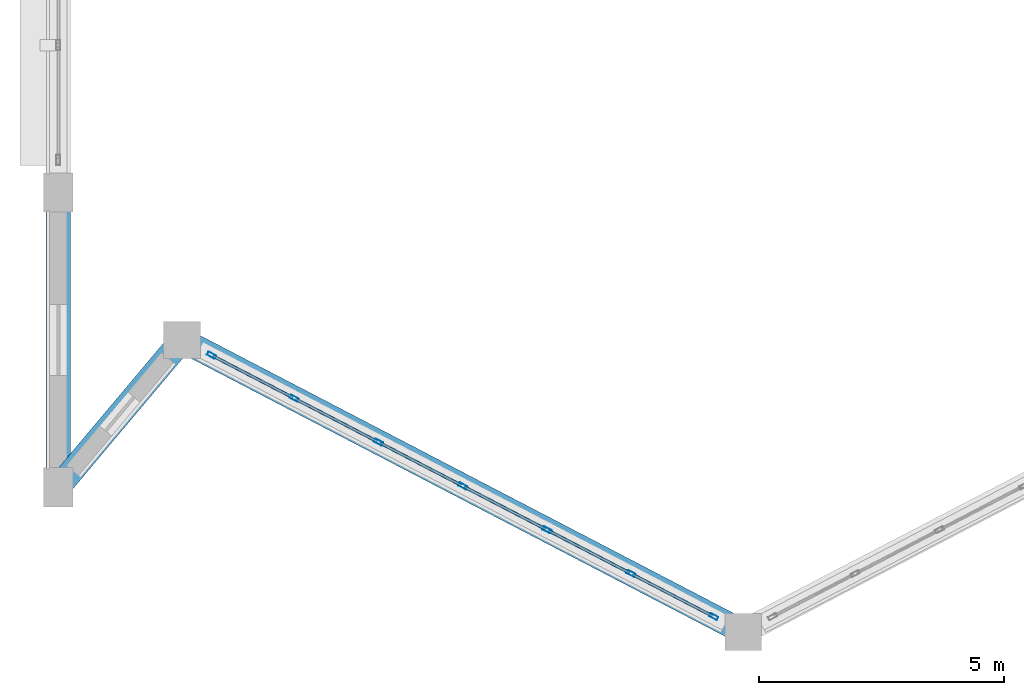
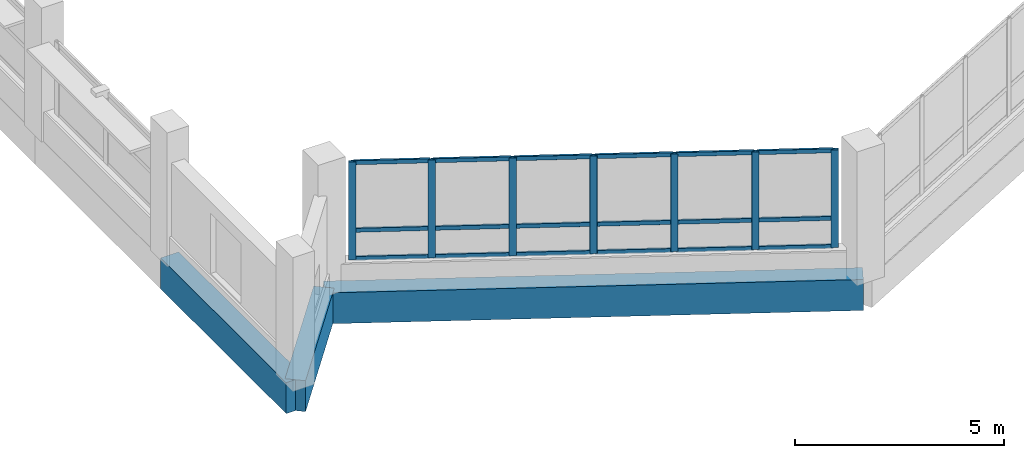
# One storey, part 3 of 121: 25 members, 3 beams, 1 element without a shape of its own.
"""IFC4 building model written with IfcOpenShell, lengths in metres."""

import ifcopenshell
import ifcopenshell.guid

model = None  # the IFC model being written
_history = None  # IfcOwnerHistory: only IFC2X3 demands one
_inside = {}  # id of a spatial element -> (the spatial element, [elements in it])
_under = {}  # id of a project, library or spatial element -> (it, [spatial elements below it])
_declared = {}  # id of a project -> (the project, [libraries it declares])
_typed = {}  # id of a type object -> (the type object, [elements of that type])
_made_of = {}  # id of a material, layer set ... -> (it, [elements and type objects made of it])


def new_model(schema):
    """Start an empty IFC model of exactly this schema.

    Asked for "IFC4X3", IfcOpenShell would pick the latest addendum, in which some entities
    have other attributes; the version numbers below select the first issue.
    IFC2X3 requires an IfcOwnerHistory on every rooted entity: one is made here for all.
    """
    global model, _history
    if schema == "IFC4X3":
        model = ifcopenshell.file(schema_version=(4, 3, 0, 0))
    else:
        model = ifcopenshell.file(schema=schema)
    _inside.clear()
    _under.clear()
    _declared.clear()
    _typed.clear()
    _made_of.clear()
    _history = None
    if model.schema == "IFC2X3":
        org = make("IfcOrganization", Name="unknown")
        user = make(
            "IfcPersonAndOrganization",
            ThePerson=make("IfcPerson", FamilyName="unknown"),
            TheOrganization=org,
        )
        app = make(
            "IfcApplication",
            ApplicationDeveloper=org,
            Version="unknown",
            ApplicationFullName="unknown",
            ApplicationIdentifier="unknown",
        )
        _history = make(
            "IfcOwnerHistory",
            OwningUser=user,
            OwningApplication=app,
            ChangeAction="ADDED",
            CreationDate=0,
        )
    return model


def make(cls, **values):
    """One entity of the class cls with the attributes given. An attribute that is None is left unset."""
    return model.create_entity(
        cls, **{name: value for name, value in values.items() if value is not None}
    )


def rooted(cls, **values):
    """An entity with a GlobalId (a new one), such as an element, a storey or a relation."""
    return make(cls, GlobalId=ifcopenshell.guid.new(), OwnerHistory=_history, **values)


def si_unit(unit_type, name, prefix=None):
    """IfcSIUnit, for example si_unit("LENGTHUNIT", "METRE", prefix="MILLI")."""
    return make("IfcSIUnit", UnitType=unit_type, Prefix=prefix, Name=name)


def assignment(units):
    """IfcUnitAssignment: the units of a project."""
    return None if units is None else make("IfcUnitAssignment", Units=units)


def point(xyz):
    """IfcCartesianPoint."""
    return None if xyz is None else make("IfcCartesianPoint", Coordinates=xyz)


def direction(xyz):
    """IfcDirection."""
    return None if xyz is None else make("IfcDirection", DirectionRatios=xyz)


def frame(location, z_axis=None, x_axis=None):
    """IfcAxis2Placement3D, a coordinate frame: its origin and axes. An axis left out is left unset."""
    return make(
        "IfcAxis2Placement3D",
        Location=point(location),
        Axis=direction(z_axis),
        RefDirection=direction(x_axis),
    )


def frame_2d(location, x_axis=None):
    """IfcAxis2Placement2D, a coordinate frame in the plane: its origin and x axis."""
    return make(
        "IfcAxis2Placement2D", Location=point(location), RefDirection=direction(x_axis)
    )


def origin():
    """The frame at (0, 0, 0) with its axes left unset."""
    return frame((0.0, 0.0, 0.0))


def origin_2d():
    """The frame at (0, 0) in the plane with its x axis left unset."""
    return frame_2d((0.0, 0.0))


def place(relative_to, where):
    """IfcLocalPlacement: puts the frame where relative to a parent placement (None: the world)."""
    return make(
        "IfcLocalPlacement", PlacementRelTo=relative_to, RelativePlacement=where
    )


def context(
    kind, dimensions, precision=None, world=None, true_north=None, identifier=None
):
    """IfcGeometricRepresentationContext, for example the 3D "Model" context."""
    return make(
        "IfcGeometricRepresentationContext",
        ContextIdentifier=identifier,
        ContextType=kind,
        CoordinateSpaceDimension=dimensions,
        Precision=precision,
        WorldCoordinateSystem=world,
        TrueNorth=true_north,
    )


def subcontext(parent, identifier, kind, view, scale=None):
    """IfcGeometricRepresentationSubContext, for example "Body" below "Model"."""
    return make(
        "IfcGeometricRepresentationSubContext",
        ContextIdentifier=identifier,
        ContextType=kind,
        ParentContext=parent,
        TargetScale=scale,
        TargetView=view,
    )


def project(units=None, contexts=None):
    """IfcProject with its units and contexts."""
    return rooted(
        "IfcProject",
        Name="project",
        RepresentationContexts=contexts,
        UnitsInContext=assignment(units),
    )


def spatial(cls, under=None, at=None, **own):
    """A site, building, storey or space (cls), placed at a placement, below another one or the project."""
    s = rooted(cls, ObjectPlacement=at, **own)
    if under is not None:
        _under.setdefault(under.id(), (under, []))[1].append(s)
    return s


def profile(cls, at=None, kind="AREA", **sizes):
    """A parametric profile (cls). Its sizes go by their IFC names, for example OverallWidth=200.0."""
    return make(cls, ProfileType=kind, Position=at, **sizes)


def rectangle(**sizes):
    """IfcRectangleProfileDef."""
    return profile("IfcRectangleProfileDef", **sizes)


def hollow_rectangle(**sizes):
    """IfcRectangleHollowProfileDef."""
    return profile("IfcRectangleHollowProfileDef", **sizes)


def extrude(swept, where, along, depth):
    """IfcExtrudedAreaSolid: the profile swept, set in the frame where, extruded along a direction by depth."""
    return make(
        "IfcExtrudedAreaSolid",
        SweptArea=swept,
        Position=where,
        ExtrudedDirection=direction(along),
        Depth=depth,
    )


def shape(context_of_items, identifier, shape_type, items):
    """IfcShapeRepresentation: the items that make up one representation, for example the "Body"."""
    return make(
        "IfcShapeRepresentation",
        ContextOfItems=context_of_items,
        RepresentationIdentifier=identifier,
        RepresentationType=shape_type,
        Items=items,
    )


def material(Name=None, Category=None):
    """IfcMaterial."""
    return make("IfcMaterial", Name=Name, Category=Category)


def layer(
    of_material, thickness, ventilated=None, Name=None, Category=None, Priority=None
):
    """IfcMaterialLayer: one layer of a wall or slab, of a material (None: an air gap)."""
    return make(
        "IfcMaterialLayer",
        Material=of_material,
        LayerThickness=thickness,
        IsVentilated=ventilated,
        Name=Name,
        Category=Category,
        Priority=Priority,
    )


def layer_set(layers, Name=None):
    """IfcMaterialLayerSet."""
    return make("IfcMaterialLayerSet", MaterialLayers=layers, LayerSetName=Name)


def material_profile(
    of_material, cross_section, Name=None, Category=None, Priority=None
):
    """IfcMaterialProfile: a cross section and its material."""
    return make(
        "IfcMaterialProfile",
        Name=Name,
        Material=of_material,
        Profile=cross_section,
        Priority=Priority,
        Category=Category,
    )


def profile_set(profiles, Name=None, composite=None):
    """IfcMaterialProfileSet."""
    return make(
        "IfcMaterialProfileSet",
        Name=Name,
        MaterialProfiles=profiles,
        CompositeProfile=composite,
    )


def made_of(thing, what):
    """Note that an element or type object is made of a material, layer set ...; save() writes the relation."""
    if what is not None:
        _made_of.setdefault(what.id(), (what, []))[1].append(thing)
    return thing


def type_object(cls, material=None, **own):
    """A type object (cls), such as IfcWallType, which elements share."""
    return made_of(rooted(cls, **own), material)


def element(
    cls,
    number,
    at=None,
    inside=None,
    cuts=None,
    type_object=None,
    material=None,
    context=None,
    identifier="Body",
    shape_type=None,
    held_by="IfcProductDefinitionShape",
    body=None,
    shapes=None,
    **own,
):
    """One element of the class cls, such as IfcWall. Its Tag is "e" and its number.

    at: its placement. inside: the storey or other place that contains it. cuts: it is an
    opening in that element (IfcRelVoidsElement). A single representation is given by context,
    identifier, shape_type and body (its items); several are given by shapes. held_by: the class
    of the entity that holds the representations. save() writes the other relations.
    """
    e = rooted(cls, Tag="e%d" % number, ObjectPlacement=at, **own)
    if body is not None:
        shapes = [shape(context, identifier, shape_type, body)]
    if shapes is not None:
        e.Representation = make(held_by, Representations=shapes)
    if inside is not None:
        _inside.setdefault(inside.id(), (inside, []))[1].append(e)
    if cuts is not None:
        rooted(
            "IfcRelVoidsElement", RelatingBuildingElement=cuts, RelatedOpeningElement=e
        )
    if type_object is not None:
        _typed.setdefault(type_object.id(), (type_object, []))[1].append(e)
    return made_of(e, material)


def aggregate(whole, parts):
    """IfcRelAggregates: a whole, such as a stair, and the parts it consists of."""
    return rooted("IfcRelAggregates", RelatingObject=whole, RelatedObjects=parts)


def save(model, path):
    """Write the relations noted so far, then the file.

    IfcRelAggregates (storeys below a building ...), IfcRelContainedInSpatialStructure (elements
    in a storey), IfcRelDefinesByType, IfcRelAssociatesMaterial and IfcRelDeclares: one each for
    every whole, place, type object, material and project.
    """
    for whole, parts in _under.values():
        aggregate(whole, parts)
    for where, things in _inside.values():
        rooted(
            "IfcRelContainedInSpatialStructure",
            RelatedElements=things,
            RelatingStructure=where,
        )
    for kind, things in _typed.values():
        rooted("IfcRelDefinesByType", RelatedObjects=things, RelatingType=kind)
    for what, things in _made_of.values():
        rooted("IfcRelAssociatesMaterial", RelatedObjects=things, RelatingMaterial=what)
    for by, libraries in _declared.values():
        rooted("IfcRelDeclares", RelatingContext=by, RelatedDefinitions=libraries)
    model.write(path)


model = new_model("IFC4")

# Units and contexts
model_context = context("Model", 3, precision=1e-05, world=origin(), true_north=direction((0.0, 1.0)))
body_context = subcontext(model_context, "Body", "Model", "MODEL_VIEW")
ifc_project = project(units=[si_unit("LENGTHUNIT", "METRE"), si_unit("AREAUNIT", "SQUARE_METRE"), si_unit("VOLUMEUNIT", "CUBIC_METRE"), si_unit("PLANEANGLEUNIT", "RADIAN"), si_unit("MASSUNIT", "GRAM", prefix="KILO")], contexts=[model_context])

# Site, building, storey
site_placement = place(None, origin())
site = spatial("IfcSite", under=ifc_project, at=site_placement, CompositionType="ELEMENT")
building_placement = place(site_placement, origin())
building = spatial("IfcBuilding", under=site, at=building_placement, Name="Vespera Passage Community Centre", CompositionType="ELEMENT")
storey_placement = place(building_placement, frame((0.0, 0.0, 8.699951171875)))
storey = spatial("IfcBuildingStorey", under=building, at=storey_placement, Name="L02", CompositionType="ELEMENT", Elevation=8.699951171875)

# Beams
ifc_material_1 = material(Name="Concrete f'c 45 MPa", Category="concrete")
ifc_material_profile_1 = material_profile(ifc_material_1, rectangle(XDim=0.5, YDim=0.89990234375, at=origin_2d()), Name="RC500X900")
ifc_profile_set_1 = profile_set([ifc_material_profile_1], Name="Concrete f'c 45 MPa")
beam_type = type_object("IfcBeamType", Name="BM-SP-500X900E", PredefinedType="SPANDREL", material=ifc_profile_set_1)
beam_1_placement = place(storey_placement, frame((4.050048828125, 7.0, -0.449951171875), z_axis=(0.0, 1.0, 0.0), x_axis=(-1.0, 0.0, 0.0)))
element("IfcBeam", 1, at=beam_1_placement, inside=storey, type_object=beam_type, Name="V1 L02 Spandrel W1", PredefinedType="SPANDREL", context=body_context, shape_type="SweptSolid", body=[
    extrude(rectangle(XDim=0.5, YDim=0.89990234375, at=origin_2d()), origin(), (0.0, 0.0, 1.0), 6.0),
])
beam_2_placement = place(storey_placement, frame((4.050048828125, 7.0, -0.449951171875), z_axis=(0.643780739075, 0.765210010386, 0.0), x_axis=(-0.765210010386, 0.643780739075, 0.0)))
element("IfcBeam", 2, at=beam_2_placement, inside=storey, type_object=beam_type, Name="V1 L02 S Apse Spandrel 1", PredefinedType="SPANDREL", context=body_context, shape_type="SweptSolid", body=[
    extrude(rectangle(XDim=0.5, YDim=0.89990234375, at=origin_2d()), origin(), (0.0, 0.0, 1.0), 3.91845703125),
])
beam_3_placement = place(storey_placement, frame((6.57275390625, 9.99853515625, -0.449951171875), z_axis=(0.887015966554, -0.461738751978, 0.0), x_axis=(0.461738751978, 0.887015966554, 0.0)))
element("IfcBeam", 3, at=beam_3_placement, inside=storey, type_object=beam_type, Name="V1 L02 S Apse Spandrel 2", PredefinedType="SPANDREL", context=body_context, shape_type="SweptSolid", body=[
    extrude(rectangle(XDim=0.5, YDim=0.89990234375, at=origin_2d()), origin(), (0.0, 0.0, 1.0), 12.8828125),
])

# Curtain wall, members
ifc_material_2 = material(Name="Anodized aluminium 6063-T6", Category="aluminium")
ifc_layer = layer(ifc_material_2, 0.159912109375)
ifc_layer_set = layer_set([ifc_layer], Name="Anodized aluminium 6063-T6")
curtain_wall_type = type_object("IfcCurtainWallType", Name="CW-87E", PredefinedType="NOTDEFINED", material=ifc_layer_set)
curtain_wall_placement = place(storey_placement, origin())
curtain_wall = element("IfcCurtainWall", 4, at=curtain_wall_placement, inside=storey, type_object=curtain_wall_type, Name="V1 L02 S Apse Ribbon Curtain Wall 3", PredefinedType="NOTDEFINED")
ifc_material_3 = material(Name="Anodized aluminium 6063-T6", Category="aluminium")
ifc_material_profile_2 = material_profile(ifc_material_3, hollow_rectangle(XDim=0.074951171875, YDim=0.179931640625, WallThickness=0.0048828125, InnerFilletRadius=0.00244140625, OuterFilletRadius=0.0048828125, at=origin_2d()), Name="ALU180X75X5")
ifc_profile_set_2 = profile_set([ifc_material_profile_2], Name="Anodized aluminium 6063-T6")
member_type_1 = type_object("IfcMemberType", Name="MB-CWM-180E", PredefinedType="MULLION", material=ifc_profile_set_2)
member_1_placement = place(storey_placement, frame((17.401123046875, 4.36181640625, 0.800048828125), z_axis=(0.0, 0.0, 1.0), x_axis=(-0.46174493668, -0.887012747062, 0.0)))
member_1 = element("IfcMember", 5, at=member_1_placement, type_object=member_type_1, Name="CW-87E mullion 1", PredefinedType="MULLION", context=body_context, shape_type="SweptSolid", body=[
    extrude(hollow_rectangle(XDim=0.074951171875, YDim=0.179931640625, WallThickness=0.0048828125, InnerFilletRadius=0.00244140625, OuterFilletRadius=0.0048828125, at=origin_2d()), origin(), (0.0, 0.0, 1.0), 2.85009765625),
])
member_2_placement = place(storey_placement, frame((15.71826171875, 5.23779296875, 0.800048828125), z_axis=(0.0, 0.0, 1.0), x_axis=(-0.46174493668, -0.887012747062, 0.0)))
member_2 = element("IfcMember", 6, at=member_2_placement, type_object=member_type_1, Name="CW-87E mullion 2", PredefinedType="MULLION", context=body_context, shape_type="SweptSolid", body=[
    extrude(hollow_rectangle(XDim=0.074951171875, YDim=0.179931640625, WallThickness=0.0048828125, InnerFilletRadius=0.00244140625, OuterFilletRadius=0.0048828125, at=origin_2d()), origin(), (0.0, 0.0, 1.0), 2.85009765625),
])
member_3_placement = place(storey_placement, frame((14.00244140625, 6.131103515625, 0.800048828125), z_axis=(0.0, 0.0, 1.0), x_axis=(-0.46174493668, -0.887012747062, 0.0)))
member_3 = element("IfcMember", 7, at=member_3_placement, type_object=member_type_1, Name="CW-87E mullion 3", PredefinedType="MULLION", context=body_context, shape_type="SweptSolid", body=[
    extrude(hollow_rectangle(XDim=0.074951171875, YDim=0.179931640625, WallThickness=0.0048828125, InnerFilletRadius=0.00244140625, OuterFilletRadius=0.0048828125, at=origin_2d()), origin(), (0.0, 0.0, 1.0), 2.85009765625),
])
member_4_placement = place(storey_placement, frame((12.286376953125, 7.0244140625, 0.800048828125), z_axis=(0.0, 0.0, 1.0), x_axis=(-0.46174493668, -0.887012747062, 0.0)))
member_4 = element("IfcMember", 8, at=member_4_placement, type_object=member_type_1, Name="CW-87E mullion 4", PredefinedType="MULLION", context=body_context, shape_type="SweptSolid", body=[
    extrude(hollow_rectangle(XDim=0.074951171875, YDim=0.179931640625, WallThickness=0.0048828125, InnerFilletRadius=0.00244140625, OuterFilletRadius=0.0048828125, at=origin_2d()), origin(), (0.0, 0.0, 1.0), 2.85009765625),
])
member_5_placement = place(storey_placement, frame((10.5703125, 7.91748046875, 0.800048828125), z_axis=(0.0, 0.0, 1.0), x_axis=(-0.46174493668, -0.887012747062, 0.0)))
member_5 = element("IfcMember", 9, at=member_5_placement, type_object=member_type_1, Name="CW-87E mullion 5", PredefinedType="MULLION", context=body_context, shape_type="SweptSolid", body=[
    extrude(hollow_rectangle(XDim=0.074951171875, YDim=0.179931640625, WallThickness=0.0048828125, InnerFilletRadius=0.00244140625, OuterFilletRadius=0.0048828125, at=origin_2d()), origin(), (0.0, 0.0, 1.0), 2.85009765625),
])
member_6_placement = place(storey_placement, frame((8.8544921875, 8.810791015625, 0.800048828125), z_axis=(0.0, 0.0, 1.0), x_axis=(-0.46174493668, -0.887012747062, 0.0)))
member_6 = element("IfcMember", 10, at=member_6_placement, type_object=member_type_1, Name="CW-87E mullion 6", PredefinedType="MULLION", context=body_context, shape_type="SweptSolid", body=[
    extrude(hollow_rectangle(XDim=0.074951171875, YDim=0.179931640625, WallThickness=0.0048828125, InnerFilletRadius=0.00244140625, OuterFilletRadius=0.0048828125, at=origin_2d()), origin(), (0.0, 0.0, 1.0), 2.85009765625),
])
member_7_placement = place(storey_placement, frame((7.171875, 9.686767578125, 0.800048828125), z_axis=(0.0, 0.0, 1.0), x_axis=(-0.46174493668, -0.887012747062, 0.0)))
member_7 = element("IfcMember", 11, at=member_7_placement, type_object=member_type_1, Name="CW-87E mullion 7", PredefinedType="MULLION", context=body_context, shape_type="SweptSolid", body=[
    extrude(hollow_rectangle(XDim=0.074951171875, YDim=0.179931640625, WallThickness=0.0048828125, InnerFilletRadius=0.00244140625, OuterFilletRadius=0.0048828125, at=origin_2d()), origin(), (0.0, 0.0, 1.0), 2.85009765625),
])
ifc_material_4 = material(Name="Anodized aluminium 6063-T6", Category="aluminium")
ifc_material_profile_3 = material_profile(ifc_material_4, hollow_rectangle(XDim=0.06005859375, YDim=0.1201171875, WallThickness=0.00390625, InnerFilletRadius=0.001953125, OuterFilletRadius=0.00390625, at=origin_2d()), Name="ALU120X60X4")
ifc_profile_set_3 = profile_set([ifc_material_profile_3], Name="Anodized aluminium 6063-T6")
member_type_2 = type_object("IfcMemberType", Name="MB-CWT-120E", PredefinedType="USERDEFINED", material=ifc_profile_set_3)
member_8_placement = place(storey_placement, frame((17.36767578125, 4.379150390625, 0.830078125), z_axis=(-0.886990706074, 0.461787274986, 0.0), x_axis=(-0.461787274986, -0.886990706074, 0.0)))
member_8 = element("IfcMember", 12, at=member_8_placement, type_object=member_type_2, Name="CW-87E transom 1.1", ObjectType="TRANSOM", PredefinedType="USERDEFINED", context=body_context, shape_type="SweptSolid", body=[
    extrude(hollow_rectangle(XDim=0.06005859375, YDim=0.1201171875, WallThickness=0.00390625, InnerFilletRadius=0.001953125, OuterFilletRadius=0.00390625, at=origin_2d()), origin(), (0.0, 0.0, 1.0), 1.82177734375),
])
member_9_placement = place(storey_placement, frame((17.36767578125, 4.379150390625, 1.650146484375), z_axis=(-0.886990706074, 0.461787274986, 0.0), x_axis=(-0.461787274986, -0.886990706074, 0.0)))
member_9 = element("IfcMember", 13, at=member_9_placement, type_object=member_type_2, Name="CW-87E transom 1.2", ObjectType="TRANSOM", PredefinedType="USERDEFINED", context=body_context, shape_type="SweptSolid", body=[
    extrude(hollow_rectangle(XDim=0.06005859375, YDim=0.1201171875, WallThickness=0.00390625, InnerFilletRadius=0.001953125, OuterFilletRadius=0.00390625, at=origin_2d()), origin(), (0.0, 0.0, 1.0), 1.82177734375),
])
member_10_placement = place(storey_placement, frame((17.36767578125, 4.379150390625, 3.6201171875), z_axis=(-0.886990706074, 0.461787274986, 0.0), x_axis=(-0.461787274986, -0.886990706074, 0.0)))
member_10 = element("IfcMember", 14, at=member_10_placement, type_object=member_type_2, Name="CW-87E transom 1.3", ObjectType="TRANSOM", PredefinedType="USERDEFINED", context=body_context, shape_type="SweptSolid", body=[
    extrude(hollow_rectangle(XDim=0.06005859375, YDim=0.1201171875, WallThickness=0.00390625, InnerFilletRadius=0.001953125, OuterFilletRadius=0.00390625, at=origin_2d()), origin(), (0.0, 0.0, 1.0), 1.82177734375),
])
member_11_placement = place(storey_placement, frame((15.68505859375, 5.255126953125, 0.830078125), z_axis=(-0.887008197889, 0.461753675544, 0.0), x_axis=(-0.461753675544, -0.887008197889, 0.0)))
member_11 = element("IfcMember", 15, at=member_11_placement, type_object=member_type_2, Name="CW-87E transom 2.1", ObjectType="TRANSOM", PredefinedType="USERDEFINED", context=body_context, shape_type="SweptSolid", body=[
    extrude(hollow_rectangle(XDim=0.06005859375, YDim=0.1201171875, WallThickness=0.00390625, InnerFilletRadius=0.001953125, OuterFilletRadius=0.00390625, at=origin_2d()), origin(), (0.0, 0.0, 1.0), 1.859619140625),
])
member_12_placement = place(storey_placement, frame((15.68505859375, 5.255126953125, 1.650146484375), z_axis=(-0.887008197889, 0.461753675544, 0.0), x_axis=(-0.461753675544, -0.887008197889, 0.0)))
member_12 = element("IfcMember", 16, at=member_12_placement, type_object=member_type_2, Name="CW-87E transom 2.2", ObjectType="TRANSOM", PredefinedType="USERDEFINED", context=body_context, shape_type="SweptSolid", body=[
    extrude(hollow_rectangle(XDim=0.06005859375, YDim=0.1201171875, WallThickness=0.00390625, InnerFilletRadius=0.001953125, OuterFilletRadius=0.00390625, at=origin_2d()), origin(), (0.0, 0.0, 1.0), 1.859619140625),
])
member_13_placement = place(storey_placement, frame((15.68505859375, 5.255126953125, 3.6201171875), z_axis=(-0.887008197889, 0.461753675544, 0.0), x_axis=(-0.461753675544, -0.887008197889, 0.0)))
member_13 = element("IfcMember", 17, at=member_13_placement, type_object=member_type_2, Name="CW-87E transom 2.3", ObjectType="TRANSOM", PredefinedType="USERDEFINED", context=body_context, shape_type="SweptSolid", body=[
    extrude(hollow_rectangle(XDim=0.06005859375, YDim=0.1201171875, WallThickness=0.00390625, InnerFilletRadius=0.001953125, OuterFilletRadius=0.00390625, at=origin_2d()), origin(), (0.0, 0.0, 1.0), 1.859619140625),
])
member_14_placement = place(storey_placement, frame((13.968994140625, 6.1484375, 0.830078125), z_axis=(-0.887008197889, 0.461753675544, 0.0), x_axis=(-0.461753675544, -0.887008197889, 0.0)))
member_14 = element("IfcMember", 18, at=member_14_placement, type_object=member_type_2, Name="CW-87E transom 3.1", ObjectType="TRANSOM", PredefinedType="USERDEFINED", context=body_context, shape_type="SweptSolid", body=[
    extrude(hollow_rectangle(XDim=0.06005859375, YDim=0.1201171875, WallThickness=0.00390625, InnerFilletRadius=0.001953125, OuterFilletRadius=0.00390625, at=origin_2d()), origin(), (0.0, 0.0, 1.0), 1.859619140625),
])
member_15_placement = place(storey_placement, frame((13.968994140625, 6.1484375, 1.650146484375), z_axis=(-0.887008197889, 0.461753675544, 0.0), x_axis=(-0.461753675544, -0.887008197889, 0.0)))
member_15 = element("IfcMember", 19, at=member_15_placement, type_object=member_type_2, Name="CW-87E transom 3.2", ObjectType="TRANSOM", PredefinedType="USERDEFINED", context=body_context, shape_type="SweptSolid", body=[
    extrude(hollow_rectangle(XDim=0.06005859375, YDim=0.1201171875, WallThickness=0.00390625, InnerFilletRadius=0.001953125, OuterFilletRadius=0.00390625, at=origin_2d()), origin(), (0.0, 0.0, 1.0), 1.859619140625),
])
member_16_placement = place(storey_placement, frame((13.968994140625, 6.1484375, 3.6201171875), z_axis=(-0.887008197889, 0.461753675544, 0.0), x_axis=(-0.461753675544, -0.887008197889, 0.0)))
member_16 = element("IfcMember", 20, at=member_16_placement, type_object=member_type_2, Name="CW-87E transom 3.3", ObjectType="TRANSOM", PredefinedType="USERDEFINED", context=body_context, shape_type="SweptSolid", body=[
    extrude(hollow_rectangle(XDim=0.06005859375, YDim=0.1201171875, WallThickness=0.00390625, InnerFilletRadius=0.001953125, OuterFilletRadius=0.00390625, at=origin_2d()), origin(), (0.0, 0.0, 1.0), 1.859619140625),
])
member_17_placement = place(storey_placement, frame((12.253173828125, 7.04150390625, 0.830078125), z_axis=(-0.887008197889, 0.461753675544, 0.0), x_axis=(-0.461753675544, -0.887008197889, 0.0)))
member_17 = element("IfcMember", 21, at=member_17_placement, type_object=member_type_2, Name="CW-87E transom 4.1", ObjectType="TRANSOM", PredefinedType="USERDEFINED", context=body_context, shape_type="SweptSolid", body=[
    extrude(hollow_rectangle(XDim=0.06005859375, YDim=0.1201171875, WallThickness=0.00390625, InnerFilletRadius=0.001953125, OuterFilletRadius=0.00390625, at=origin_2d()), origin(), (0.0, 0.0, 1.0), 1.859619140625),
])
member_18_placement = place(storey_placement, frame((12.253173828125, 7.04150390625, 1.650146484375), z_axis=(-0.887008197889, 0.461753675544, 0.0), x_axis=(-0.461753675544, -0.887008197889, 0.0)))
member_18 = element("IfcMember", 22, at=member_18_placement, type_object=member_type_2, Name="CW-87E transom 4.2", ObjectType="TRANSOM", PredefinedType="USERDEFINED", context=body_context, shape_type="SweptSolid", body=[
    extrude(hollow_rectangle(XDim=0.06005859375, YDim=0.1201171875, WallThickness=0.00390625, InnerFilletRadius=0.001953125, OuterFilletRadius=0.00390625, at=origin_2d()), origin(), (0.0, 0.0, 1.0), 1.859619140625),
])
member_19_placement = place(storey_placement, frame((12.253173828125, 7.04150390625, 3.6201171875), z_axis=(-0.887008197889, 0.461753675544, 0.0), x_axis=(-0.461753675544, -0.887008197889, 0.0)))
member_19 = element("IfcMember", 23, at=member_19_placement, type_object=member_type_2, Name="CW-87E transom 4.3", ObjectType="TRANSOM", PredefinedType="USERDEFINED", context=body_context, shape_type="SweptSolid", body=[
    extrude(hollow_rectangle(XDim=0.06005859375, YDim=0.1201171875, WallThickness=0.00390625, InnerFilletRadius=0.001953125, OuterFilletRadius=0.00390625, at=origin_2d()), origin(), (0.0, 0.0, 1.0), 1.859619140625),
])
member_20_placement = place(storey_placement, frame((10.537109375, 7.934814453125, 0.830078125), z_axis=(-0.887008197889, 0.461753675544, 0.0), x_axis=(-0.461753675544, -0.887008197889, 0.0)))
member_20 = element("IfcMember", 24, at=member_20_placement, type_object=member_type_2, Name="CW-87E transom 5.1", ObjectType="TRANSOM", PredefinedType="USERDEFINED", context=body_context, shape_type="SweptSolid", body=[
    extrude(hollow_rectangle(XDim=0.06005859375, YDim=0.1201171875, WallThickness=0.00390625, InnerFilletRadius=0.001953125, OuterFilletRadius=0.00390625, at=origin_2d()), origin(), (0.0, 0.0, 1.0), 1.859619140625),
])
member_21_placement = place(storey_placement, frame((10.537109375, 7.934814453125, 1.650146484375), z_axis=(-0.887008197889, 0.461753675544, 0.0), x_axis=(-0.461753675544, -0.887008197889, 0.0)))
member_21 = element("IfcMember", 25, at=member_21_placement, type_object=member_type_2, Name="CW-87E transom 5.2", ObjectType="TRANSOM", PredefinedType="USERDEFINED", context=body_context, shape_type="SweptSolid", body=[
    extrude(hollow_rectangle(XDim=0.06005859375, YDim=0.1201171875, WallThickness=0.00390625, InnerFilletRadius=0.001953125, OuterFilletRadius=0.00390625, at=origin_2d()), origin(), (0.0, 0.0, 1.0), 1.859619140625),
])
member_22_placement = place(storey_placement, frame((10.537109375, 7.934814453125, 3.6201171875), z_axis=(-0.887008197889, 0.461753675544, 0.0), x_axis=(-0.461753675544, -0.887008197889, 0.0)))
member_22 = element("IfcMember", 26, at=member_22_placement, type_object=member_type_2, Name="CW-87E transom 5.3", ObjectType="TRANSOM", PredefinedType="USERDEFINED", context=body_context, shape_type="SweptSolid", body=[
    extrude(hollow_rectangle(XDim=0.06005859375, YDim=0.1201171875, WallThickness=0.00390625, InnerFilletRadius=0.001953125, OuterFilletRadius=0.00390625, at=origin_2d()), origin(), (0.0, 0.0, 1.0), 1.859619140625),
])
member_23_placement = place(storey_placement, frame((8.8212890625, 8.828125, 0.830078125), z_axis=(-0.887019277583, 0.461732391322, 0.0), x_axis=(-0.461732391322, -0.887019277583, 0.0)))
member_23 = element("IfcMember", 27, at=member_23_placement, type_object=member_type_2, Name="CW-87E transom 6.1", ObjectType="TRANSOM", PredefinedType="USERDEFINED", context=body_context, shape_type="SweptSolid", body=[
    extrude(hollow_rectangle(XDim=0.06005859375, YDim=0.1201171875, WallThickness=0.00390625, InnerFilletRadius=0.001953125, OuterFilletRadius=0.00390625, at=origin_2d()), origin(), (0.0, 0.0, 1.0), 1.822021484375),
])
member_24_placement = place(storey_placement, frame((8.8212890625, 8.828125, 1.650146484375), z_axis=(-0.887019277583, 0.461732391322, 0.0), x_axis=(-0.461732391322, -0.887019277583, 0.0)))
member_24 = element("IfcMember", 28, at=member_24_placement, type_object=member_type_2, Name="CW-87E transom 6.2", ObjectType="TRANSOM", PredefinedType="USERDEFINED", context=body_context, shape_type="SweptSolid", body=[
    extrude(hollow_rectangle(XDim=0.06005859375, YDim=0.1201171875, WallThickness=0.00390625, InnerFilletRadius=0.001953125, OuterFilletRadius=0.00390625, at=origin_2d()), origin(), (0.0, 0.0, 1.0), 1.822021484375),
])
member_25_placement = place(storey_placement, frame((8.8212890625, 8.828125, 3.6201171875), z_axis=(-0.887019277583, 0.461732391322, 0.0), x_axis=(-0.461732391322, -0.887019277583, 0.0)))
member_25 = element("IfcMember", 29, at=member_25_placement, type_object=member_type_2, Name="CW-87E transom 6.3", ObjectType="TRANSOM", PredefinedType="USERDEFINED", context=body_context, shape_type="SweptSolid", body=[
    extrude(hollow_rectangle(XDim=0.06005859375, YDim=0.1201171875, WallThickness=0.00390625, InnerFilletRadius=0.001953125, OuterFilletRadius=0.00390625, at=origin_2d()), origin(), (0.0, 0.0, 1.0), 1.822021484375),
])
aggregate(curtain_wall, [member_1, member_2, member_3, member_4, member_5, member_6, member_7, member_8, member_9, member_10, member_11, member_12, member_13, member_14, member_15, member_16, member_17, member_18, member_19, member_20, member_21, member_22, member_23, member_24, member_25])

save(model, "model.ifc")
